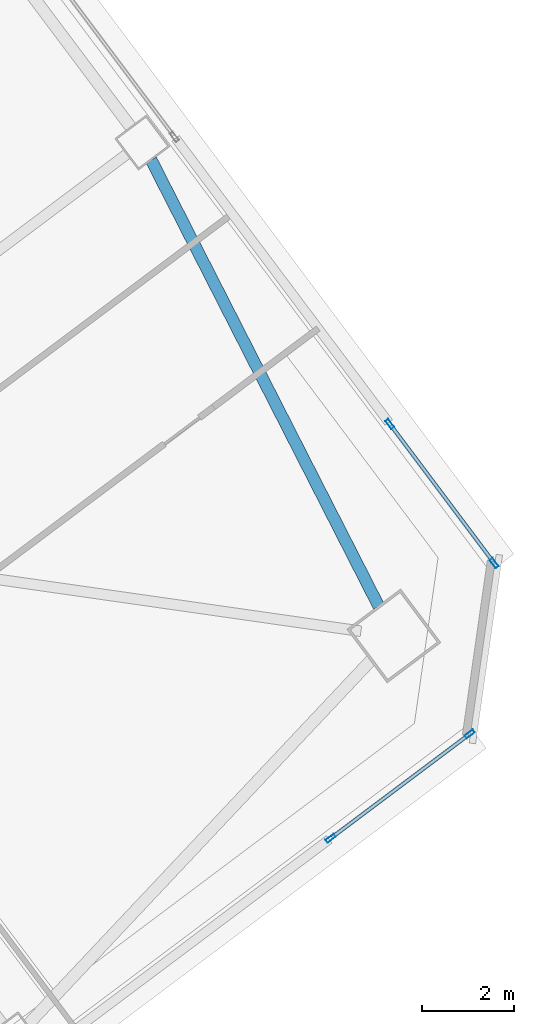
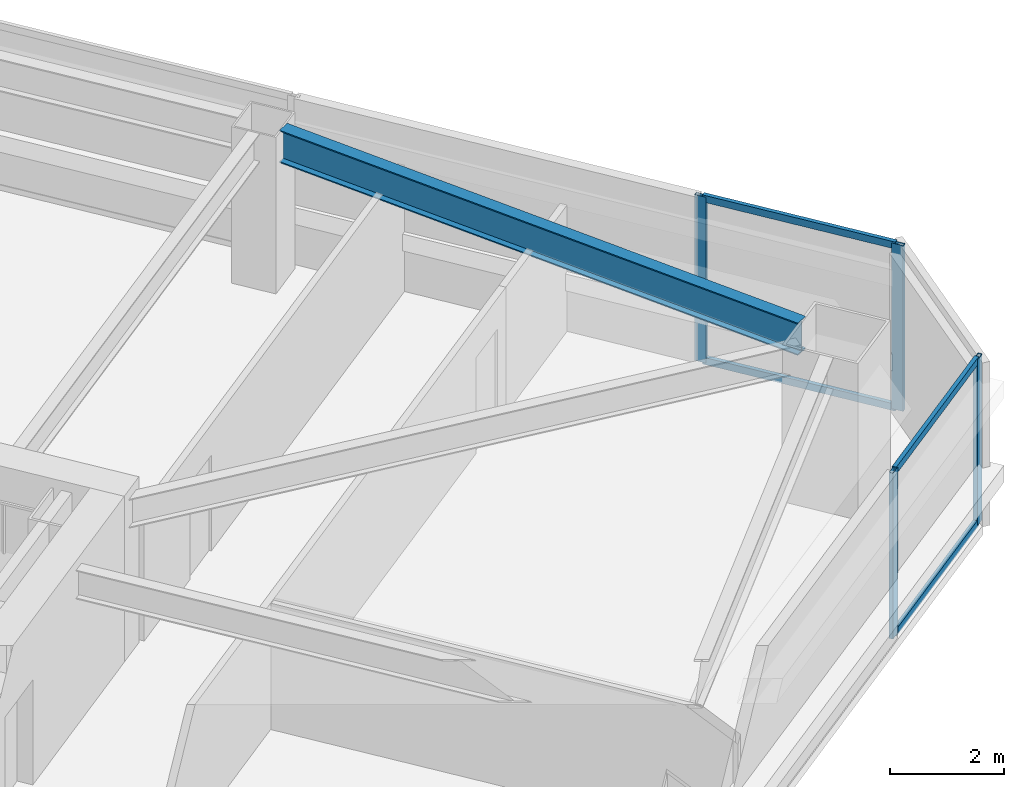
# One storey, part 24 of 44: 8 members, 1 beam, 2 elements without a shape of their own.
"""IFC4 building model written with IfcOpenShell, lengths in metres."""

from ifc_helpers import new_model, si_unit, direction, frame, origin, origin_2d, place, context, subcontext, project, spatial, hollow_rectangle, i_section, extrude, material, material_profile, profile_set, type_object, element, aggregate, save


model = new_model("IFC4")

# Units and contexts
model_context = context("Model", 3, precision=1e-05, world=origin(), true_north=direction((0.0, 1.0)))
body_context = subcontext(model_context, "Body", "Model", "MODEL_VIEW")
ifc_project = project(units=[si_unit("LENGTHUNIT", "METRE"), si_unit("AREAUNIT", "SQUARE_METRE"), si_unit("VOLUMEUNIT", "CUBIC_METRE"), si_unit("PLANEANGLEUNIT", "RADIAN"), si_unit("MASSUNIT", "GRAM", prefix="KILO")], contexts=[model_context])

# Site, building, storey
site_placement = place(None, origin())
site = spatial("IfcSite", under=ifc_project, at=site_placement, CompositionType="ELEMENT")
building_placement = place(site_placement, origin())
building = spatial("IfcBuilding", under=site, at=building_placement, Name="Tashvorn Skyway Center", CompositionType="ELEMENT")
storey_placement = place(building_placement, frame((0.0, 0.0, 84.949951171875)))
storey = spatial("IfcBuildingStorey", under=building, at=storey_placement, Name="L22", CompositionType="ELEMENT", Elevation=84.949951171875)

# Beam
ifc_material_1 = material(Name="Steel ASTM A992 Grade 50", Category="steel")
ifc_material_profile_1 = material_profile(ifc_material_1, i_section(OverallWidth=0.256103515625, OverallDepth=0.693115234375, WebThickness=0.014404296875, FlangeThickness=0.023681640625, at=origin_2d()), Name="W27X114")
ifc_profile_set_1 = profile_set([ifc_material_profile_1], Name="Steel ASTM A992 Grade 50")
beam_type = type_object("IfcBeamType", Name="BM-SPANDREL-W27X114", PredefinedType="SPANDREL", material=ifc_profile_set_1)
beam_placement = place(storey_placement, frame((137.7529296875, 29.201416015625, 3.003662109375), z_axis=(-0.454210938961, 0.890894170442, 0.0), x_axis=(-0.890894170442, -0.454210938961, 0.0)))
element("IfcBeam", 1, at=beam_placement, inside=storey, type_object=beam_type, Name="Tower 2 L22 Spandrel Beam 04", PredefinedType="SPANDREL", context=body_context, shape_type="SweptSolid", body=[
    extrude(i_section(OverallWidth=0.256103515625, OverallDepth=0.693115234375, WebThickness=0.014404296875, FlangeThickness=0.023681640625, at=origin_2d()), origin(), (0.0, 0.0, 1.0), 10.836669921875),
])

# Curtain wall, members
ifc_material_2 = material(Name="Thermally broken bronze-anodized aluminium 6063-T6", Category="aluminium")
curtain_wall_type = type_object("IfcCurtainWallType", Name="CW-CW-Z2", PredefinedType="NOTDEFINED", material=ifc_material_2)
curtain_wall_1_placement = place(storey_placement, origin())
curtain_wall_1 = element("IfcCurtainWall", 2, at=curtain_wall_1_placement, inside=storey, type_object=curtain_wall_type, Name="Tower 2 L22 South Unitised Curtain Wall Glazing Group 1", PredefinedType="NOTDEFINED")
ifc_material_profile_2 = material_profile(ifc_material_2, hollow_rectangle(XDim=0.080078125, YDim=0.219970703125, WallThickness=0.0048828125, at=origin_2d()), Name="ALU-MULL-80x220")
ifc_profile_set_2 = profile_set([ifc_material_profile_2], Name="Thermally broken bronze-anodized aluminium 6063-T6")
member_type_1 = type_object("IfcMemberType", Name="CWM-CW-Z2", PredefinedType="MULLION", material=ifc_profile_set_2)
member_1_placement = place(storey_placement, frame((139.719970703125, 26.43994140625, 0.0), z_axis=(0.0, 0.0, 1.0), x_axis=(0.600000000002, -0.799999999998, 0.0)))
member_1 = element("IfcMember", 3, at=member_1_placement, type_object=member_type_1, Name="CW-Z2 mullion 1", PredefinedType="MULLION", context=body_context, shape_type="SweptSolid", body=[
    extrude(hollow_rectangle(XDim=0.080078125, YDim=0.219970703125, WallThickness=0.0048828125, at=origin_2d()), origin(), (0.0, 0.0, 1.0), 3.550048828125),
])
member_2_placement = place(storey_placement, frame((136.7119140625, 24.18408203125, 0.0), z_axis=(0.0, 0.0, 1.0), x_axis=(0.600000000002, -0.799999999998, 0.0)))
member_2 = element("IfcMember", 4, at=member_2_placement, type_object=member_type_1, Name="CW-Z2 mullion 2", PredefinedType="MULLION", context=body_context, shape_type="SweptSolid", body=[
    extrude(hollow_rectangle(XDim=0.080078125, YDim=0.219970703125, WallThickness=0.0048828125, at=origin_2d()), origin(), (0.0, 0.0, 1.0), 3.550048828125),
])

curtain_wall_2_placement = place(storey_placement, origin())
curtain_wall_2 = element("IfcCurtainWall", 5, at=curtain_wall_2_placement, inside=storey, type_object=curtain_wall_type, Name="Tower 2 L22 East Unitised Curtain Wall Glazing Group 3", PredefinedType="NOTDEFINED")
member_3_placement = place(storey_placement, frame((137.991943359375, 33.14404296875, 0.0), z_axis=(0.0, 0.0, 1.0), x_axis=(0.799999999998, 0.600000000002, 0.0)))
member_3 = element("IfcMember", 6, at=member_3_placement, type_object=member_type_1, Name="CW-Z2 mullion 1", PredefinedType="MULLION", context=body_context, shape_type="SweptSolid", body=[
    extrude(hollow_rectangle(XDim=0.080078125, YDim=0.219970703125, WallThickness=0.0048828125, at=origin_2d()), origin(), (0.0, 0.0, 1.0), 3.550048828125),
])
member_4_placement = place(storey_placement, frame((140.248046875, 30.135986328125, 0.0), z_axis=(0.0, 0.0, 1.0), x_axis=(0.799999999998, 0.600000000002, 0.0)))
member_4 = element("IfcMember", 7, at=member_4_placement, type_object=member_type_1, Name="CW-Z2 mullion 2", PredefinedType="MULLION", context=body_context, shape_type="SweptSolid", body=[
    extrude(hollow_rectangle(XDim=0.080078125, YDim=0.219970703125, WallThickness=0.0048828125, at=origin_2d()), origin(), (0.0, 0.0, 1.0), 3.550048828125),
])

# Member
ifc_material_profile_3 = material_profile(ifc_material_2, hollow_rectangle(XDim=0.080078125, YDim=0.14990234375, WallThickness=0.00439453125, at=origin_2d()), Name="ALU-TRAN-80x150")
ifc_profile_set_3 = profile_set([ifc_material_profile_3], Name="Thermally broken bronze-anodized aluminium 6063-T6")
member_type_2 = type_object("IfcMemberType", Name="CWT-CW-Z2", PredefinedType="USERDEFINED", material=ifc_profile_set_3)
member_5_placement = place(storey_placement, frame((139.68798828125, 26.416015625, 0.0400390625), z_axis=(-0.800007960868, -0.599989385363, 0.0), x_axis=(0.599989385363, -0.800007960868, 0.0)))
member_5 = element("IfcMember", 8, at=member_5_placement, type_object=member_type_2, Name="CW-Z2 transom 1.1", ObjectType="TRANSOM", PredefinedType="USERDEFINED", context=body_context, shape_type="SweptSolid", body=[
    extrude(hollow_rectangle(XDim=0.080078125, YDim=0.14990234375, WallThickness=0.00439453125, at=origin_2d()), origin(), (0.0, 0.0, 1.0), 3.68017578125),
])

member_6_placement = place(storey_placement, frame((139.68798828125, 26.416015625, 3.510009765625), z_axis=(-0.800007960868, -0.599989385363, 0.0), x_axis=(0.599989385363, -0.800007960868, 0.0)))
member_6 = element("IfcMember", 9, at=member_6_placement, type_object=member_type_2, Name="CW-Z2 transom 1.2", ObjectType="TRANSOM", PredefinedType="USERDEFINED", context=body_context, shape_type="SweptSolid", body=[
    extrude(hollow_rectangle(XDim=0.080078125, YDim=0.14990234375, WallThickness=0.00439453125, at=origin_2d()), origin(), (0.0, 0.0, 1.0), 3.68017578125),
])

aggregate(curtain_wall_1, [member_1, member_2, member_5, member_6])

member_7_placement = place(storey_placement, frame((138.01611328125, 33.112060546875, 0.0400390625), z_axis=(0.599989385363, -0.800007960868, 0.0), x_axis=(0.800007960868, 0.599989385363, 0.0)))
member_7 = element("IfcMember", 10, at=member_7_placement, type_object=member_type_2, Name="CW-Z2 transom 1.1", ObjectType="TRANSOM", PredefinedType="USERDEFINED", context=body_context, shape_type="SweptSolid", body=[
    extrude(hollow_rectangle(XDim=0.080078125, YDim=0.14990234375, WallThickness=0.00439453125, at=origin_2d()), origin(), (0.0, 0.0, 1.0), 3.68017578125),
])

member_8_placement = place(storey_placement, frame((138.01611328125, 33.112060546875, 3.510009765625), z_axis=(0.599989385363, -0.800007960868, 0.0), x_axis=(0.800007960868, 0.599989385363, 0.0)))
member_8 = element("IfcMember", 11, at=member_8_placement, type_object=member_type_2, Name="CW-Z2 transom 1.2", ObjectType="TRANSOM", PredefinedType="USERDEFINED", context=body_context, shape_type="SweptSolid", body=[
    extrude(hollow_rectangle(XDim=0.080078125, YDim=0.14990234375, WallThickness=0.00439453125, at=origin_2d()), origin(), (0.0, 0.0, 1.0), 3.68017578125),
])

aggregate(curtain_wall_2, [member_3, member_4, member_7, member_8])

save(model, "model.ifc")
